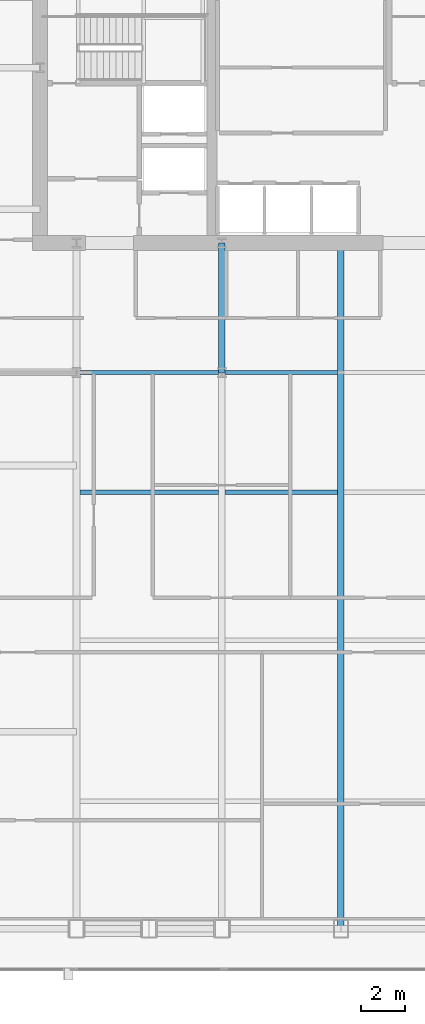
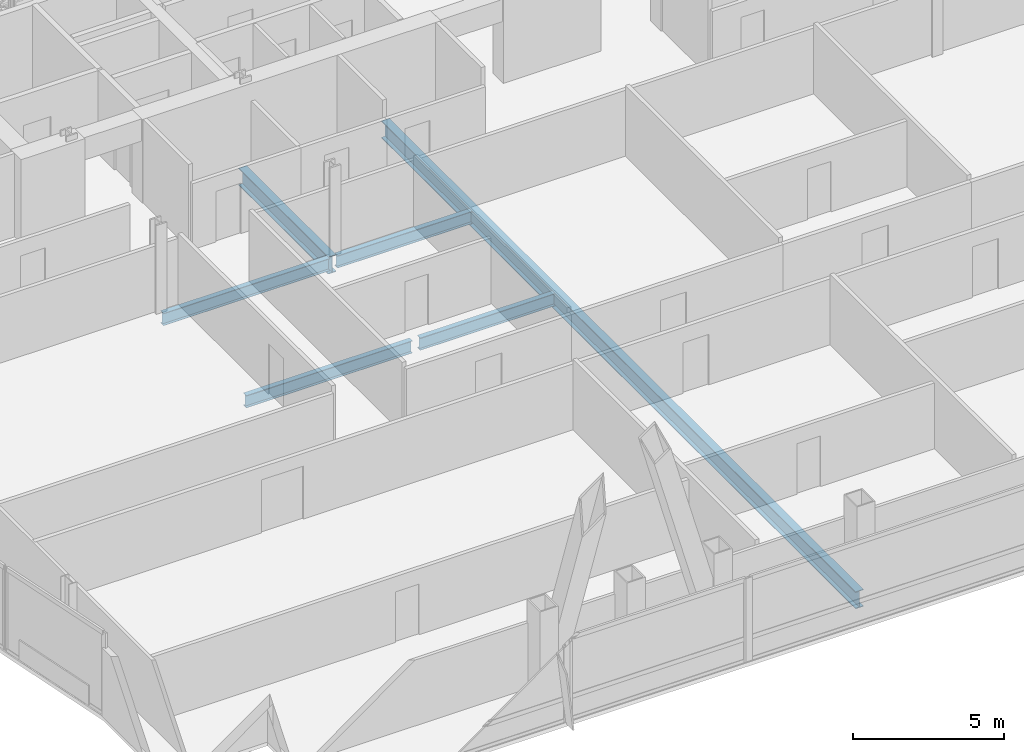
# One storey, part 13 of 31: 6 beams.
"""IFC4 building model written with IfcOpenShell, lengths in metres."""

import ifcopenshell
import ifcopenshell.guid

model = None  # the IFC model being written
_history = None  # IfcOwnerHistory: only IFC2X3 demands one
_inside = {}  # id of a spatial element -> (the spatial element, [elements in it])
_under = {}  # id of a project, library or spatial element -> (it, [spatial elements below it])
_declared = {}  # id of a project -> (the project, [libraries it declares])
_typed = {}  # id of a type object -> (the type object, [elements of that type])
_made_of = {}  # id of a material, layer set ... -> (it, [elements and type objects made of it])


def new_model(schema):
    """Start an empty IFC model of exactly this schema.

    Asked for "IFC4X3", IfcOpenShell would pick the latest addendum, in which some entities
    have other attributes; the version numbers below select the first issue.
    IFC2X3 requires an IfcOwnerHistory on every rooted entity: one is made here for all.
    """
    global model, _history
    if schema == "IFC4X3":
        model = ifcopenshell.file(schema_version=(4, 3, 0, 0))
    else:
        model = ifcopenshell.file(schema=schema)
    _inside.clear()
    _under.clear()
    _declared.clear()
    _typed.clear()
    _made_of.clear()
    _history = None
    if model.schema == "IFC2X3":
        org = make("IfcOrganization", Name="unknown")
        user = make(
            "IfcPersonAndOrganization",
            ThePerson=make("IfcPerson", FamilyName="unknown"),
            TheOrganization=org,
        )
        app = make(
            "IfcApplication",
            ApplicationDeveloper=org,
            Version="unknown",
            ApplicationFullName="unknown",
            ApplicationIdentifier="unknown",
        )
        _history = make(
            "IfcOwnerHistory",
            OwningUser=user,
            OwningApplication=app,
            ChangeAction="ADDED",
            CreationDate=0,
        )
    return model


def make(cls, **values):
    """One entity of the class cls with the attributes given. An attribute that is None is left unset."""
    return model.create_entity(
        cls, **{name: value for name, value in values.items() if value is not None}
    )


def rooted(cls, **values):
    """An entity with a GlobalId (a new one), such as an element, a storey or a relation."""
    return make(cls, GlobalId=ifcopenshell.guid.new(), OwnerHistory=_history, **values)


def si_unit(unit_type, name, prefix=None):
    """IfcSIUnit, for example si_unit("LENGTHUNIT", "METRE", prefix="MILLI")."""
    return make("IfcSIUnit", UnitType=unit_type, Prefix=prefix, Name=name)


def assignment(units):
    """IfcUnitAssignment: the units of a project."""
    return None if units is None else make("IfcUnitAssignment", Units=units)


def point(xyz):
    """IfcCartesianPoint."""
    return None if xyz is None else make("IfcCartesianPoint", Coordinates=xyz)


def direction(xyz):
    """IfcDirection."""
    return None if xyz is None else make("IfcDirection", DirectionRatios=xyz)


def frame(location, z_axis=None, x_axis=None):
    """IfcAxis2Placement3D, a coordinate frame: its origin and axes. An axis left out is left unset."""
    return make(
        "IfcAxis2Placement3D",
        Location=point(location),
        Axis=direction(z_axis),
        RefDirection=direction(x_axis),
    )


def frame_2d(location, x_axis=None):
    """IfcAxis2Placement2D, a coordinate frame in the plane: its origin and x axis."""
    return make(
        "IfcAxis2Placement2D", Location=point(location), RefDirection=direction(x_axis)
    )


def origin():
    """The frame at (0, 0, 0) with its axes left unset."""
    return frame((0.0, 0.0, 0.0))


def origin_2d():
    """The frame at (0, 0) in the plane with its x axis left unset."""
    return frame_2d((0.0, 0.0))


def place(relative_to, where):
    """IfcLocalPlacement: puts the frame where relative to a parent placement (None: the world)."""
    return make(
        "IfcLocalPlacement", PlacementRelTo=relative_to, RelativePlacement=where
    )


def context(
    kind, dimensions, precision=None, world=None, true_north=None, identifier=None
):
    """IfcGeometricRepresentationContext, for example the 3D "Model" context."""
    return make(
        "IfcGeometricRepresentationContext",
        ContextIdentifier=identifier,
        ContextType=kind,
        CoordinateSpaceDimension=dimensions,
        Precision=precision,
        WorldCoordinateSystem=world,
        TrueNorth=true_north,
    )


def subcontext(parent, identifier, kind, view, scale=None):
    """IfcGeometricRepresentationSubContext, for example "Body" below "Model"."""
    return make(
        "IfcGeometricRepresentationSubContext",
        ContextIdentifier=identifier,
        ContextType=kind,
        ParentContext=parent,
        TargetScale=scale,
        TargetView=view,
    )


def project(units=None, contexts=None):
    """IfcProject with its units and contexts."""
    return rooted(
        "IfcProject",
        Name="project",
        RepresentationContexts=contexts,
        UnitsInContext=assignment(units),
    )


def spatial(cls, under=None, at=None, **own):
    """A site, building, storey or space (cls), placed at a placement, below another one or the project."""
    s = rooted(cls, ObjectPlacement=at, **own)
    if under is not None:
        _under.setdefault(under.id(), (under, []))[1].append(s)
    return s


def profile(cls, at=None, kind="AREA", **sizes):
    """A parametric profile (cls). Its sizes go by their IFC names, for example OverallWidth=200.0."""
    return make(cls, ProfileType=kind, Position=at, **sizes)


def i_section(**sizes):
    """IfcIShapeProfileDef."""
    return profile("IfcIShapeProfileDef", **sizes)


def extrude(swept, where, along, depth):
    """IfcExtrudedAreaSolid: the profile swept, set in the frame where, extruded along a direction by depth."""
    return make(
        "IfcExtrudedAreaSolid",
        SweptArea=swept,
        Position=where,
        ExtrudedDirection=direction(along),
        Depth=depth,
    )


def shape(context_of_items, identifier, shape_type, items):
    """IfcShapeRepresentation: the items that make up one representation, for example the "Body"."""
    return make(
        "IfcShapeRepresentation",
        ContextOfItems=context_of_items,
        RepresentationIdentifier=identifier,
        RepresentationType=shape_type,
        Items=items,
    )


def material(Name=None, Category=None):
    """IfcMaterial."""
    return make("IfcMaterial", Name=Name, Category=Category)


def material_profile(
    of_material, cross_section, Name=None, Category=None, Priority=None
):
    """IfcMaterialProfile: a cross section and its material."""
    return make(
        "IfcMaterialProfile",
        Name=Name,
        Material=of_material,
        Profile=cross_section,
        Priority=Priority,
        Category=Category,
    )


def profile_set(profiles, Name=None, composite=None):
    """IfcMaterialProfileSet."""
    return make(
        "IfcMaterialProfileSet",
        Name=Name,
        MaterialProfiles=profiles,
        CompositeProfile=composite,
    )


def made_of(thing, what):
    """Note that an element or type object is made of a material, layer set ...; save() writes the relation."""
    if what is not None:
        _made_of.setdefault(what.id(), (what, []))[1].append(thing)
    return thing


def type_object(cls, material=None, **own):
    """A type object (cls), such as IfcWallType, which elements share."""
    return made_of(rooted(cls, **own), material)


def element(
    cls,
    number,
    at=None,
    inside=None,
    cuts=None,
    type_object=None,
    material=None,
    context=None,
    identifier="Body",
    shape_type=None,
    held_by="IfcProductDefinitionShape",
    body=None,
    shapes=None,
    **own,
):
    """One element of the class cls, such as IfcWall. Its Tag is "e" and its number.

    at: its placement. inside: the storey or other place that contains it. cuts: it is an
    opening in that element (IfcRelVoidsElement). A single representation is given by context,
    identifier, shape_type and body (its items); several are given by shapes. held_by: the class
    of the entity that holds the representations. save() writes the other relations.
    """
    e = rooted(cls, Tag="e%d" % number, ObjectPlacement=at, **own)
    if body is not None:
        shapes = [shape(context, identifier, shape_type, body)]
    if shapes is not None:
        e.Representation = make(held_by, Representations=shapes)
    if inside is not None:
        _inside.setdefault(inside.id(), (inside, []))[1].append(e)
    if cuts is not None:
        rooted(
            "IfcRelVoidsElement", RelatingBuildingElement=cuts, RelatedOpeningElement=e
        )
    if type_object is not None:
        _typed.setdefault(type_object.id(), (type_object, []))[1].append(e)
    return made_of(e, material)


def aggregate(whole, parts):
    """IfcRelAggregates: a whole, such as a stair, and the parts it consists of."""
    return rooted("IfcRelAggregates", RelatingObject=whole, RelatedObjects=parts)


def save(model, path):
    """Write the relations noted so far, then the file.

    IfcRelAggregates (storeys below a building ...), IfcRelContainedInSpatialStructure (elements
    in a storey), IfcRelDefinesByType, IfcRelAssociatesMaterial and IfcRelDeclares: one each for
    every whole, place, type object, material and project.
    """
    for whole, parts in _under.values():
        aggregate(whole, parts)
    for where, things in _inside.values():
        rooted(
            "IfcRelContainedInSpatialStructure",
            RelatedElements=things,
            RelatingStructure=where,
        )
    for kind, things in _typed.values():
        rooted("IfcRelDefinesByType", RelatedObjects=things, RelatingType=kind)
    for what, things in _made_of.values():
        rooted("IfcRelAssociatesMaterial", RelatedObjects=things, RelatingMaterial=what)
    for by, libraries in _declared.values():
        rooted("IfcRelDeclares", RelatingContext=by, RelatedDefinitions=libraries)
    model.write(path)


model = new_model("IFC4")

# Units and contexts
model_context = context("Model", 3, precision=1e-05, world=origin(), true_north=direction((0.0, 1.0)))
body_context = subcontext(model_context, "Body", "Model", "MODEL_VIEW")
ifc_project = project(units=[si_unit("LENGTHUNIT", "METRE"), si_unit("AREAUNIT", "SQUARE_METRE"), si_unit("VOLUMEUNIT", "CUBIC_METRE"), si_unit("PLANEANGLEUNIT", "RADIAN"), si_unit("MASSUNIT", "GRAM", prefix="KILO")], contexts=[model_context])

# Site, building, storey
site_placement = place(None, origin())
site = spatial("IfcSite", under=ifc_project, at=site_placement, CompositionType="ELEMENT")
building_placement = place(site_placement, origin())
building = spatial("IfcBuilding", under=site, at=building_placement, Name="Khoronbel Lancet Exchange", CompositionType="ELEMENT")
storey_placement = place(building_placement, frame((0.0, 0.0, 168.60009765625)))
storey = spatial("IfcBuildingStorey", under=building, at=storey_placement, Name="L42", CompositionType="ELEMENT", Elevation=168.60009765625)

# Beams
ifc_material = material(Name="Steel S355", Category="steel")
ifc_material_profile_1 = material_profile(ifc_material, i_section(OverallWidth=0.300048828125, OverallDepth=0.699951171875, WebThickness=0.01708984375, FlangeThickness=0.031982421875, at=origin_2d()), Name="HEB 700")
ifc_profile_set_1 = profile_set([ifc_material_profile_1], Name="Steel S355")
beam_type_1 = type_object("IfcBeamType", Name="BM-BG3", PredefinedType="BEAM", material=ifc_profile_set_1)
beam_1_placement = place(storey_placement, frame((24.89990234375, 35.699951171875, -0.510009765625), z_axis=(0.0, 1.0, 0.0), x_axis=(-1.0, 0.0, 0.0)))
element("IfcBeam", 1, at=beam_1_placement, inside=storey, type_object=beam_type_1, Name="Level L42 spine tie girder GN2", PredefinedType="BEAM", context=body_context, shape_type="SweptSolid", body=[
    extrude(i_section(OverallWidth=0.300048828125, OverallDepth=0.699951171875, WebThickness=0.01708984375, FlangeThickness=0.031982421875, at=origin_2d()), origin(), (0.0, 0.0, 1.0), 5.949951171875),
])
beam_2_placement = place(storey_placement, frame((30.375, 10.14990234375, -0.510009765625), z_axis=(0.0, 1.0, 0.0), x_axis=(-1.0, 0.0, 0.0)))
element("IfcBeam", 2, at=beam_2_placement, inside=storey, type_object=beam_type_1, Name="Level L42 primary floor girder G3", PredefinedType="BEAM", context=body_context, shape_type="SweptSolid", body=[
    extrude(i_section(OverallWidth=0.300048828125, OverallDepth=0.699951171875, WebThickness=0.01708984375, FlangeThickness=0.031982421875, at=origin_2d()), origin(), (0.0, 0.0, 1.0), 31.5),
])
ifc_material_profile_2 = material_profile(ifc_material, i_section(OverallWidth=0.199951171875, OverallDepth=0.5, WebThickness=0.01025390625, FlangeThickness=0.01611328125, at=origin_2d()), Name="IPE 500")
ifc_profile_set_2 = profile_set([ifc_material_profile_2], Name="Steel S355")
beam_type_2 = type_object("IfcBeamType", Name="BM-BJ3", PredefinedType="JOIST", material=ifc_profile_set_2)
beam_3_placement = place(storey_placement, frame((18.375, 30.199951171875, -0.41015625), z_axis=(1.0, 0.0, 0.0), x_axis=(0.0, 1.0, 0.0)))
element("IfcBeam", 3, at=beam_3_placement, inside=storey, type_object=beam_type_2, Name="Level L42 secondary composite joist J11", PredefinedType="JOIST", context=body_context, shape_type="SweptSolid", body=[
    extrude(i_section(OverallWidth=0.199951171875, OverallDepth=0.5, WebThickness=0.01025390625, FlangeThickness=0.01611328125, at=origin_2d()), origin(), (0.0, 0.0, 1.0), 6.375),
])
beam_4_placement = place(storey_placement, frame((25.050048828125, 30.199951171875, -0.41015625), z_axis=(1.0, 0.0, 0.0), x_axis=(0.0, 1.0, 0.0)))
element("IfcBeam", 4, at=beam_4_placement, inside=storey, type_object=beam_type_2, Name="Level L42 secondary composite joist J12", PredefinedType="JOIST", context=body_context, shape_type="SweptSolid", body=[
    extrude(i_section(OverallWidth=0.199951171875, OverallDepth=0.5, WebThickness=0.01025390625, FlangeThickness=0.01611328125, at=origin_2d()), origin(), (0.0, 0.0, 1.0), 5.175048828125),
])
beam_5_placement = place(storey_placement, frame((18.375, 35.699951171875, -0.41015625), z_axis=(1.0, 0.0, 0.0), x_axis=(0.0, 1.0, 0.0)))
element("IfcBeam", 5, at=beam_5_placement, inside=storey, type_object=beam_type_2, Name="Level L42 secondary composite joist J16", PredefinedType="JOIST", context=body_context, shape_type="SweptSolid", body=[
    extrude(i_section(OverallWidth=0.199951171875, OverallDepth=0.5, WebThickness=0.01025390625, FlangeThickness=0.01611328125, at=origin_2d()), origin(), (0.0, 0.0, 1.0), 6.375),
])
beam_6_placement = place(storey_placement, frame((25.050048828125, 35.699951171875, -0.41015625), z_axis=(1.0, 0.0, 0.0), x_axis=(0.0, 1.0, 0.0)))
element("IfcBeam", 6, at=beam_6_placement, inside=storey, type_object=beam_type_2, Name="Level L42 secondary composite joist J17", PredefinedType="JOIST", context=body_context, shape_type="SweptSolid", body=[
    extrude(i_section(OverallWidth=0.199951171875, OverallDepth=0.5, WebThickness=0.01025390625, FlangeThickness=0.01611328125, at=origin_2d()), origin(), (0.0, 0.0, 1.0), 5.175048828125),
])

save(model, "model.ifc")
